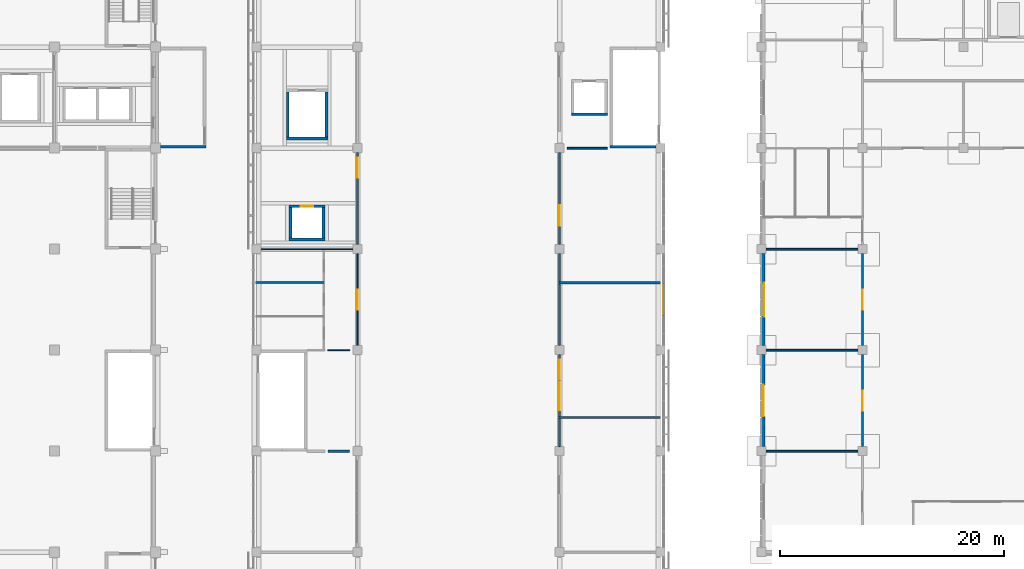
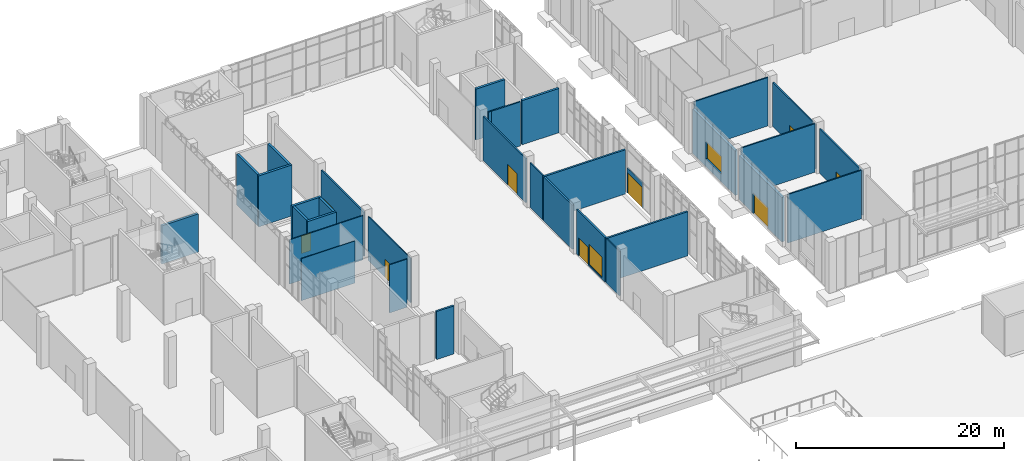
# One storey, part 56 of 86: 33 walls, 9 doors, 2 windows, 11 openings.
"""IFC4 building model written with IfcOpenShell, lengths in metres."""

from ifc_helpers import new_model, si_unit, direction, frame, frame_2d, origin, place, context, subcontext, project, spatial, rectangle, extrude, material, layer, layer_set, type_object, element, fill, save


model = new_model("IFC4")

# Units and contexts
model_context = context("Model", 3, precision=1e-05, world=origin(), true_north=direction((0.0, 1.0)))
body_context = subcontext(model_context, "Body", "Model", "MODEL_VIEW")
ifc_project = project(units=[si_unit("LENGTHUNIT", "METRE"), si_unit("AREAUNIT", "SQUARE_METRE"), si_unit("VOLUMEUNIT", "CUBIC_METRE"), si_unit("PLANEANGLEUNIT", "RADIAN"), si_unit("MASSUNIT", "GRAM", prefix="KILO")], contexts=[model_context])

# Site, building, storey
site_placement = place(None, origin())
site = spatial("IfcSite", under=ifc_project, at=site_placement, CompositionType="ELEMENT")
building_placement = place(site_placement, origin())
building = spatial("IfcBuilding", under=site, at=building_placement, Name="Guidao Yard Department Store", CompositionType="ELEMENT")
storey_placement = place(building_placement, origin())
storey = spatial("IfcBuildingStorey", under=building, at=storey_placement, Name="L00", CompositionType="ELEMENT", Elevation=0.0)

# Wall
ifc_material_1 = material(Name="Moisture-resistant board on Steel Q235 studs", Category="steel")
ifc_layer_1 = layer(ifc_material_1, 0.080078125)
ifc_layer_set_1 = layer_set([ifc_layer_1], Name="Cubicle and Duct Partition P8 80 mm moisture-resistant board")
wall_type_1 = type_object("IfcWallType", Name="Cubicle and Duct Partition P8 80 mm moisture-resistant board", PredefinedType="PARTITIONING", material=ifc_layer_set_1)
wall_1_placement = place(storey_placement, frame((72.0, 78.0, 0.0), z_axis=(0.0, 0.0, 1.0), x_axis=(1.0, 0.0, 0.0)))
element("IfcWall", 1, at=wall_1_placement, inside=storey, type_object=wall_type_1, Name="Wall W-AL00-017", PredefinedType="PARTITIONING", context=body_context, shape_type="SweptSolid", body=[
    extrude(rectangle(XDim=5.949951171875, YDim=0.080078125, at=frame_2d((2.97509765625, 0.0))), origin(), (0.0, 0.0, 1.0), 4.949951171875),
])

# Wall, opening, door
ifc_material_2 = material(Name="Concrete C30", Category="concrete")
ifc_layer_2 = layer(ifc_material_2, 0.300048828125)
ifc_layer_set_2 = layer_set([ifc_layer_2], Name="Food hall wall 300 C30")
wall_type_2 = type_object("IfcWallType", Name="Food hall wall 300 C30", PredefinedType="SOLIDWALL", material=ifc_layer_set_2)
wall_2_placement = place(storey_placement, frame((117.14990234375, 63.39990234375, 0.0), z_axis=(0.0, 0.0, 1.0), x_axis=(0.0, 1.0, 0.0)))
wall_2 = element("IfcWall", 2, at=wall_2_placement, inside=storey, type_object=wall_type_2, Name="Food hall wall", PredefinedType="SOLIDWALL", context=body_context, shape_type="SweptSolid", body=[
    extrude(rectangle(XDim=8.2001953125, YDim=0.300048828125, at=frame_2d((4.10009765625, 0.0))), origin(), (0.0, 0.0, 1.0), 5.199951171875),
])
opening_1_placement = place(wall_2_placement, frame((2.699951171875, 0.0, 0.0)))
opening_1 = element("IfcOpeningElement", 3, at=opening_1_placement, cuts=wall_2, Name="Opening L00-872", PredefinedType="OPENING", context=body_context, shape_type="SweptSolid", body=[
    extrude(rectangle(XDim=2.800048828125, YDim=2.39990234375, at=frame_2d((1.39990234375, 1.199951171875))), frame((0.0, 0.159912109375, 0.0), z_axis=(0.0, -1.0, 0.0), x_axis=(1.0, 0.0, 0.0)), (0.0, 0.0, 1.0), 0.320068359375),
])
ifc_material_3 = material(Name="Toughened glass in Aluminium 6063-T5 frame", Category="aluminium")
door_type_1 = type_object("IfcDoorType", Name="Entrance door ED1 2800 x 2400 glazed double leaf", OperationType="DOUBLE_DOOR_SINGLE_SWING", PredefinedType="DOOR", material=ifc_material_3)
door_1_placement = place(opening_1_placement, origin())
door_1 = element("IfcDoor", 4, at=door_1_placement, inside=storey, type_object=door_type_1, Name="Main entrance E9", OperationType="DOUBLE_DOOR_SINGLE_SWING", OverallHeight=2.39990234375, OverallWidth=2.800048828125, PredefinedType="DOOR", context=body_context, shape_type="SweptSolid", body=[
    extrude(rectangle(XDim=2.800048828125, YDim=2.39990234375, at=frame_2d((1.39990234375, 1.199951171875))), frame((0.0, 0.02490234375, 0.0), z_axis=(0.0, -1.0, 0.0), x_axis=(1.0, 0.0, 0.0)), (0.0, 0.0, 1.0), 0.050048828125),
])
fill(opening_1, door_1)

# Wall, opening, window
wall_3_placement = place(storey_placement, frame((117.14990234375, 72.39990234375, 0.0), z_axis=(0.0, 0.0, 1.0), x_axis=(0.0, 1.0, 0.0)))
wall_3 = element("IfcWall", 5, at=wall_3_placement, inside=storey, type_object=wall_type_2, Name="Food hall wall", PredefinedType="SOLIDWALL", context=body_context, shape_type="SweptSolid", body=[
    extrude(rectangle(XDim=8.2001953125, YDim=0.300048828125, at=frame_2d((4.10009765625, 0.0))), origin(), (0.0, 0.0, 1.0), 5.199951171875),
])
opening_2_placement = place(wall_3_placement, frame((2.60009765625, 0.0, 0.89990234375)))
opening_2 = element("IfcOpeningElement", 6, at=opening_2_placement, cuts=wall_3, Name="Opening WN-L00-E13", PredefinedType="OPENING", context=body_context, shape_type="SweptSolid", body=[
    extrude(rectangle(XDim=3.0, YDim=2.10009765625, at=frame_2d((1.5, 1.050048828125))), frame((0.0, 0.159912109375, 0.0), z_axis=(0.0, -1.0, 0.0), x_axis=(1.0, 0.0, 0.0)), (0.0, 0.0, 1.0), 0.320068359375),
])
ifc_material_4 = material(Name="Laminated glass in aluminium frame", Category="aluminium")
window_type_1 = type_object("IfcWindowType", Name="Punched window PW2 3000 x 2100 fixed", PartitioningType="SINGLE_PANEL", PredefinedType="WINDOW", material=ifc_material_4)
window_1_placement = place(opening_2_placement, origin())
window_1 = element("IfcWindow", 7, at=window_1_placement, inside=storey, type_object=window_type_1, Name="Punched window", OverallHeight=2.10009765625, OverallWidth=3.0, PartitioningType="SINGLE_PANEL", PredefinedType="WINDOW", context=body_context, shape_type="SweptSolid", body=[
    extrude(rectangle(XDim=3.0, YDim=2.10009765625, at=frame_2d((1.5, 1.050048828125))), frame((0.0, -0.030029296875, 0.0), z_axis=(0.0, -1.0, 0.0), x_axis=(1.0, 0.0, 0.0)), (0.0, 0.0, 1.0), 0.06005859375),
])
fill(opening_2, window_1)

# Wall, opening, door
ifc_material_5 = material(Name="Aluminium 6063-T5", Category="aluminium")
ifc_layer_3 = layer(ifc_material_5, 0.1201171875)
ifc_layer_set_3 = layer_set([ifc_layer_3], Name="Glazing frame wall 120")
wall_type_3 = type_object("IfcWallType", Name="Glazing frame wall 120", PredefinedType="STANDARD", material=ifc_layer_set_3)
wall_4_placement = place(storey_placement, frame((108.280029296875, 77.969970703125, 0.0), z_axis=(0.0, 0.0, 1.0), x_axis=(0.0, -1.0, 0.0)))
wall_4 = element("IfcWall", 8, at=wall_4_placement, inside=storey, type_object=wall_type_3, Name="Frame wall for Main entrance E7", PredefinedType="STANDARD", context=body_context, shape_type="SweptSolid", body=[
    extrude(rectangle(XDim=2.93994140625, YDim=0.1201171875, at=frame_2d((1.469970703125, 0.0))), origin(), (0.0, 0.0, 1.0), 2.969970703125),
])
opening_3_placement = place(wall_4_placement, frame((0.070068359375, 0.0, 0.0)))
opening_3 = element("IfcOpeningElement", 9, at=opening_3_placement, cuts=wall_4, Name="Opening L00-866", PredefinedType="OPENING", context=body_context, shape_type="SweptSolid", body=[
    extrude(rectangle(XDim=2.800048828125, YDim=2.39990234375, at=frame_2d((1.39990234375, 1.199951171875))), frame((0.0, 0.070068359375, 0.0), z_axis=(0.0, -1.0, 0.0), x_axis=(1.0, 0.0, 0.0)), (0.0, 0.0, 1.0), 0.14013671875),
])
door_2_placement = place(opening_3_placement, origin())
door_2 = element("IfcDoor", 10, at=door_2_placement, inside=storey, type_object=door_type_1, Name="Main entrance E7", OperationType="DOUBLE_DOOR_SINGLE_SWING", OverallHeight=2.39990234375, OverallWidth=2.800048828125, PredefinedType="DOOR", context=body_context, shape_type="SweptSolid", body=[
    extrude(rectangle(XDim=2.800048828125, YDim=2.39990234375, at=frame_2d((1.39990234375, 1.199951171875))), frame((0.0, 0.02490234375, 0.0), z_axis=(0.0, -1.0, 0.0), x_axis=(1.0, 0.0, 0.0)), (0.0, 0.0, 1.0), 0.050048828125),
])
fill(opening_3, door_2)

# Wall
ifc_material_6 = material(Name="Gypsum board on Steel Q235 studs", Category="steel")
ifc_layer_4 = layer(ifc_material_6, 0.10009765625)
ifc_layer_set_4 = layer_set([ifc_layer_4], Name="Partition P1 100 mm gypsum board EI 30")
wall_type_4 = type_object("IfcWallType", Name="Partition P1 100 mm gypsum board EI 30", PredefinedType="PARTITIONING", material=ifc_layer_set_4)
wall_5_placement = place(storey_placement, frame((78.35009765625, 72.0, 0.0), z_axis=(0.0, 0.0, 1.0), x_axis=(1.0, 0.0, 0.0)))
element("IfcWall", 11, at=wall_5_placement, inside=storey, type_object=wall_type_4, Name="Wall W-AL00-011", PredefinedType="PARTITIONING", context=body_context, shape_type="SweptSolid", body=[
    extrude(rectangle(XDim=1.949951171875, YDim=0.10009765625, at=frame_2d((0.97509765625, 0.0))), origin(), (0.0, 0.0, 1.0), 5.64990234375),
])

# Wall, opening, door
wall_6_placement = place(storey_placement, frame((81.0, 72.39990234375, 0.0), z_axis=(0.0, 0.0, 1.0), x_axis=(0.0, 1.0, 0.0)))
wall_6 = element("IfcWall", 12, at=wall_6_placement, inside=storey, type_object=wall_type_4, Name="Wall W-AL00-013", PredefinedType="PARTITIONING", context=body_context, shape_type="SweptSolid", body=[
    extrude(rectangle(XDim=8.2001953125, YDim=0.10009765625, at=frame_2d((4.10009765625, 0.0))), origin(), (0.0, 0.0, 1.0), 5.199951171875),
])
opening_4_placement = place(wall_6_placement, frame((3.199951171875, 0.0, 0.0)))
opening_4 = element("IfcOpeningElement", 13, at=opening_4_placement, cuts=wall_6, Name="Opening AL00-006", PredefinedType="OPENING", context=body_context, shape_type="SweptSolid", body=[
    extrude(rectangle(XDim=1.800048828125, YDim=2.10009765625, at=frame_2d((0.89990234375, 1.050048828125))), frame((0.0, 0.06005859375, 0.0), z_axis=(0.0, -1.0, 0.0), x_axis=(1.0, 0.0, 0.0)), (0.0, 0.0, 1.0), 0.1201171875),
])
ifc_material_7 = material(Name="Timber door leaf", Category="wood")
door_type_2 = type_object("IfcDoorType", Name="Door D3 double 1800 x 2100", OperationType="DOUBLE_DOOR_SINGLE_SWING", PredefinedType="DOOR", material=ifc_material_7)
door_3_placement = place(opening_4_placement, origin())
door_3 = element("IfcDoor", 14, at=door_3_placement, inside=storey, type_object=door_type_2, Name="Door AL00-006", OperationType="DOUBLE_DOOR_SINGLE_SWING", OverallHeight=2.10009765625, OverallWidth=1.800048828125, PredefinedType="DOOR", context=body_context, shape_type="SweptSolid", body=[
    extrude(rectangle(XDim=1.800048828125, YDim=2.10009765625, at=frame_2d((0.89990234375, 1.050048828125))), frame((0.0, 0.02490234375, 0.0), z_axis=(0.0, -1.0, 0.0), x_axis=(1.0, 0.0, 0.0)), (0.0, 0.0, 1.0), 0.050048828125),
])
fill(opening_4, door_3)

# Walls
wall_7_placement = place(storey_placement, frame((72.39990234375, 81.0, 0.0), z_axis=(0.0, 0.0, 1.0), x_axis=(1.0, 0.0, 0.0)))
element("IfcWall", 15, at=wall_7_placement, inside=storey, type_object=wall_type_4, Name="Wall W-AL00-019", PredefinedType="PARTITIONING", context=body_context, shape_type="SweptSolid", body=[
    extrude(rectangle(XDim=8.2001953125, YDim=0.10009765625, at=frame_2d((4.10009765625, 0.0))), origin(), (0.0, 0.0, 1.0), 5.199951171875),
])
ifc_material_8 = material(Name="Concrete block MU10", Category="concrete")
ifc_layer_5 = layer(ifc_material_8, 0.199951171875)
ifc_layer_set_5 = layer_set([ifc_layer_5], Name="Shopfront Wall P4 200 mm blockwork EI 60")
wall_type_5 = type_object("IfcWallType", Name="Shopfront Wall P4 200 mm blockwork EI 60", PredefinedType="PARTITIONING", material=ifc_layer_set_5)
wall_8_placement = place(storey_placement, frame((78.35009765625, 63.0, 0.0), z_axis=(0.0, 0.0, 1.0), x_axis=(1.0, 0.0, 0.0)))
element("IfcWall", 16, at=wall_8_placement, inside=storey, type_object=wall_type_5, Name="Wall W-AL00-006", PredefinedType="PARTITIONING", context=body_context, shape_type="SweptSolid", body=[
    extrude(rectangle(XDim=1.949951171875, YDim=0.199951171875, at=frame_2d((0.97509765625, 0.0))), origin(), (0.0, 0.0, 1.0), 5.64990234375),
])
wall_9_placement = place(storey_placement, frame((98.925048828125, 66.0, 0.0), z_axis=(0.0, 0.0, 1.0), x_axis=(1.0, 0.0, 0.0)))
element("IfcWall", 17, at=wall_9_placement, inside=storey, type_object=wall_type_5, Name="Wall W-AL00-008", PredefinedType="PARTITIONING", context=body_context, shape_type="SweptSolid", body=[
    extrude(rectangle(XDim=9.074951171875, YDim=0.199951171875, at=frame_2d((4.53759765625, 0.0))), origin(), (0.0, 0.0, 1.0), 5.199951171875),
])

# Wall, openings, door, window
wall_10_placement = place(storey_placement, frame((99.0, 66.10009765625, 0.0), z_axis=(0.0, 0.0, 1.0), x_axis=(0.0, 1.0, 0.0)))
wall_10 = element("IfcWall", 18, at=wall_10_placement, inside=storey, type_object=wall_type_5, Name="Wall W-AL00-009", PredefinedType="PARTITIONING", context=body_context, shape_type="SweptSolid", body=[
    extrude(rectangle(XDim=5.5, YDim=0.199951171875, at=frame_2d((2.75, 0.0))), origin(), (0.0, 0.0, 1.0), 5.199951171875),
])
opening_5_placement = place(wall_10_placement, frame((5.050048828125, 0.0, 0.0), z_axis=(0.0, 0.0, 1.0), x_axis=(-1.0, 0.0, 0.0)))
opening_5 = element("IfcOpeningElement", 19, at=opening_5_placement, cuts=wall_10, Name="Opening AL00-003", PredefinedType="OPENING", context=body_context, shape_type="SweptSolid", body=[
    extrude(rectangle(XDim=1.800048828125, YDim=2.10009765625, at=frame_2d((0.89990234375, 1.050048828125))), frame((0.0, 0.10986328125, 0.0), z_axis=(0.0, -1.0, 0.0), x_axis=(1.0, 0.0, 0.0)), (0.0, 0.0, 1.0), 0.219970703125),
])
opening_6_placement = place(wall_10_placement, frame((0.550048828125, 0.0, 0.14990234375)))
opening_6 = element("IfcOpeningElement", 20, at=opening_6_placement, cuts=wall_10, Name="Opening WN-AL00-303", PredefinedType="OPENING", context=body_context, shape_type="SweptSolid", body=[
    extrude(rectangle(XDim=2.5, YDim=2.39990234375, at=frame_2d((1.25, 1.199951171875))), frame((0.0, 0.10986328125, 0.0), z_axis=(0.0, -1.0, 0.0), x_axis=(1.0, 0.0, 0.0)), (0.0, 0.0, 1.0), 0.219970703125),
])
ifc_material_9 = material(Name="Steel Q235", Category="steel")
door_type_3 = type_object("IfcDoorType", Name="Door FD5 double 1800 x 2100 FD60", OperationType="DOUBLE_DOOR_SINGLE_SWING", PredefinedType="DOOR", material=ifc_material_9)
door_4_placement = place(opening_5_placement, origin())
door_4 = element("IfcDoor", 21, at=door_4_placement, inside=storey, type_object=door_type_3, Name="Door AL00-003", OperationType="DOUBLE_DOOR_SINGLE_SWING", OverallHeight=2.10009765625, OverallWidth=1.800048828125, PredefinedType="DOOR", context=body_context, shape_type="SweptSolid", body=[
    extrude(rectangle(XDim=1.800048828125, YDim=2.10009765625, at=frame_2d((0.89990234375, 1.050048828125))), frame((0.0, 0.02490234375, 0.0), z_axis=(0.0, -1.0, 0.0), x_axis=(1.0, 0.0, 0.0)), (0.0, 0.0, 1.0), 0.050048828125),
])
fill(opening_5, door_4)
ifc_material_10 = material(Name="Fire-rated glazing in Steel Q235 frame", Category="steel")
window_type_2 = type_object("IfcWindowType", Name="Window WN1 fire-glazed shop panel 2500 x 2400 EI 60", PartitioningType="SINGLE_PANEL", PredefinedType="WINDOW", material=ifc_material_10)
window_2_placement = place(opening_6_placement, origin())
window_2 = element("IfcWindow", 22, at=window_2_placement, inside=storey, type_object=window_type_2, Name="Window WN-AL00-303", OverallHeight=2.39990234375, OverallWidth=2.5, PartitioningType="SINGLE_PANEL", PredefinedType="WINDOW", context=body_context, shape_type="SweptSolid", body=[
    extrude(rectangle(XDim=2.5, YDim=2.39990234375, at=frame_2d((1.25, 1.199951171875))), frame((0.0, 0.030029296875, 0.0), z_axis=(0.0, -1.0, 0.0), x_axis=(1.0, 0.0, 0.0)), (0.0, 0.0, 1.0), 0.06005859375),
])
fill(opening_6, window_2)

# Walls
wall_11_placement = place(storey_placement, frame((99.0, 72.39990234375, 0.0), z_axis=(0.0, 0.0, 1.0), x_axis=(0.0, 1.0, 0.0)))
element("IfcWall", 23, at=wall_11_placement, inside=storey, type_object=wall_type_5, Name="Wall W-AL00-014", PredefinedType="PARTITIONING", context=body_context, shape_type="SweptSolid", body=[
    extrude(rectangle(XDim=5.5, YDim=0.199951171875, at=frame_2d((2.75, 0.0))), origin(), (0.0, 0.0, 1.0), 5.199951171875),
])
wall_12_placement = place(storey_placement, frame((98.89990234375, 78.0, 0.0), z_axis=(0.0, 0.0, 1.0), x_axis=(1.0, 0.0, 0.0)))
element("IfcWall", 24, at=wall_12_placement, inside=storey, type_object=wall_type_5, Name="Wall W-AL00-016", PredefinedType="PARTITIONING", context=body_context, shape_type="SweptSolid", body=[
    extrude(rectangle(XDim=9.10009765625, YDim=0.199951171875, at=frame_2d((4.550048828125, 0.0))), origin(), (0.0, 0.0, 1.0), 5.199951171875),
])

# Wall, opening, door
ifc_material_11 = material(Name="Concrete block MU10", Category="concrete")
ifc_layer_6 = layer(ifc_material_11, 0.14990234375)
ifc_layer_set_6 = layer_set([ifc_layer_6], Name="Stall Front Wall F4 150 mm blockwork EI 60")
wall_type_6 = type_object("IfcWallType", Name="Stall Front Wall F4 150 mm blockwork EI 60", PredefinedType="PARTITIONING", material=ifc_layer_set_6)
wall_13_placement = place(storey_placement, frame((126.0, 63.39990234375, 0.0), z_axis=(0.0, 0.0, 1.0), x_axis=(0.0, 1.0, 0.0)))
wall_13 = element("IfcWall", 25, at=wall_13_placement, inside=storey, type_object=wall_type_6, Name="Wall W-L00-3010", PredefinedType="PARTITIONING", context=body_context, shape_type="SweptSolid", body=[
    extrude(rectangle(XDim=8.2001953125, YDim=0.14990234375, at=frame_2d((4.10009765625, 0.0))), origin(), (0.0, 0.0, 1.0), 5.199951171875),
])
opening_7_placement = place(wall_13_placement, frame((5.0, 0.0, 0.0), z_axis=(0.0, 0.0, 1.0), x_axis=(-1.0, 0.0, 0.0)))
opening_7 = element("IfcOpeningElement", 26, at=opening_7_placement, cuts=wall_13, Name="Opening L00-306", PredefinedType="OPENING", context=body_context, shape_type="SweptSolid", body=[
    extrude(rectangle(XDim=1.800048828125, YDim=2.10009765625, at=frame_2d((0.89990234375, 1.050048828125))), frame((0.0, 0.0849609375, 0.0), z_axis=(0.0, -1.0, 0.0), x_axis=(1.0, 0.0, 0.0)), (0.0, 0.0, 1.0), 0.169921875),
])
ifc_material_12 = material(Name="Timber door leaf", Category="wood")
door_type_4 = type_object("IfcDoorType", Name="Door FN2 double 1800 x 2100", OperationType="DOUBLE_DOOR_SINGLE_SWING", PredefinedType="DOOR", material=ifc_material_12)
door_5_placement = place(opening_7_placement, origin())
door_5 = element("IfcDoor", 27, at=door_5_placement, inside=storey, type_object=door_type_4, Name="Door L00-306", OperationType="DOUBLE_DOOR_SINGLE_SWING", OverallHeight=2.10009765625, OverallWidth=1.800048828125, PredefinedType="DOOR", context=body_context, shape_type="SweptSolid", body=[
    extrude(rectangle(XDim=1.800048828125, YDim=2.10009765625, at=frame_2d((0.89990234375, 1.050048828125))), frame((0.0, 0.02490234375, 0.0), z_axis=(0.0, -1.0, 0.0), x_axis=(1.0, 0.0, 0.0)), (0.0, 0.0, 1.0), 0.050048828125),
])
fill(opening_7, door_5)

wall_14_placement = place(storey_placement, frame((126.0, 72.39990234375, 0.0), z_axis=(0.0, 0.0, 1.0), x_axis=(0.0, 1.0, 0.0)))
wall_14 = element("IfcWall", 28, at=wall_14_placement, inside=storey, type_object=wall_type_6, Name="Wall W-L00-3017", PredefinedType="PARTITIONING", context=body_context, shape_type="SweptSolid", body=[
    extrude(rectangle(XDim=8.2001953125, YDim=0.14990234375, at=frame_2d((4.10009765625, 0.0))), origin(), (0.0, 0.0, 1.0), 5.199951171875),
])
opening_8_placement = place(wall_14_placement, frame((3.199951171875, 0.0, 0.0)))
opening_8 = element("IfcOpeningElement", 29, at=opening_8_placement, cuts=wall_14, Name="Opening L00-309", PredefinedType="OPENING", context=body_context, shape_type="SweptSolid", body=[
    extrude(rectangle(XDim=1.800048828125, YDim=2.10009765625, at=frame_2d((0.89990234375, 1.050048828125))), frame((0.0, 0.0849609375, 0.0), z_axis=(0.0, -1.0, 0.0), x_axis=(1.0, 0.0, 0.0)), (0.0, 0.0, 1.0), 0.169921875),
])
door_6_placement = place(opening_8_placement, origin())
door_6 = element("IfcDoor", 30, at=door_6_placement, inside=storey, type_object=door_type_4, Name="Door L00-309", OperationType="DOUBLE_DOOR_SINGLE_SWING", OverallHeight=2.10009765625, OverallWidth=1.800048828125, PredefinedType="DOOR", context=body_context, shape_type="SweptSolid", body=[
    extrude(rectangle(XDim=1.800048828125, YDim=2.10009765625, at=frame_2d((0.89990234375, 1.050048828125))), frame((0.0, 0.02490234375, 0.0), z_axis=(0.0, -1.0, 0.0), x_axis=(1.0, 0.0, 0.0)), (0.0, 0.0, 1.0), 0.050048828125),
])
fill(opening_8, door_6)

# Walls
ifc_material_13 = material(Name="Concrete block MU10", Category="concrete")
ifc_layer_7 = layer(ifc_material_13, 0.14990234375)
ifc_layer_set_7 = layer_set([ifc_layer_7], Name="Wall F2 150 mm blockwork EI 60")
wall_type_7 = type_object("IfcWallType", Name="Wall F2 150 mm blockwork EI 60", PredefinedType="PARTITIONING", material=ifc_layer_set_7)
for number, where, z_axis, x_axis, name in (
    (31, (117.39990234375, 63.0, 0.0), (0.0, 0.0, 1.0), (1.0, 0.0, 0.0), "Wall W-L00-3009"),
    (32, (117.39990234375, 72.0, 0.0), (0.0, 0.0, 1.0), (1.0, 0.0, 0.0), "Wall W-L00-3015"),
    (33, (117.39990234375, 81.0, 0.0), (0.0, 0.0, 1.0), (1.0, 0.0, 0.0), "Wall W-L00-3021"),
):
    element("IfcWall", number, at=place(storey_placement, frame(where, z_axis=z_axis, x_axis=x_axis)), inside=storey, type_object=wall_type_7, Name=name, PredefinedType="PARTITIONING", context=body_context, shape_type="SweptSolid", body=[
        extrude(rectangle(XDim=8.2001953125, YDim=0.14990234375, at=frame_2d((4.10009765625, 0.0))), origin(), (0.0, 0.0, 1.0), 5.699951171875),
    ])
ifc_material_14 = material(Name="Concrete block MU10", Category="concrete")
ifc_layer_8 = layer(ifc_material_14, 0.14990234375)
ifc_layer_set_8 = layer_set([ifc_layer_8], Name="Wall P2 150 mm blockwork EI 60")
wall_type_8 = type_object("IfcWallType", Name="Wall P2 150 mm blockwork EI 60", PredefinedType="PARTITIONING", material=ifc_layer_set_8)
for number, where, z_axis, x_axis, name in (
    (34, (99.0, 63.39990234375, 0.0), (0.0, 0.0, 1.0), (0.0, 1.0, 0.0), "Wall W-AL00-007"),
    (35, (99.0, 78.10009765625, 0.0), (0.0, 0.0, 1.0), (0.0, 1.0, 0.0), "Wall W-AL00-018"),
):
    element("IfcWall", number, at=place(storey_placement, frame(where, z_axis=z_axis, x_axis=x_axis)), inside=storey, type_object=wall_type_8, Name=name, PredefinedType="PARTITIONING", context=body_context, shape_type="SweptSolid", body=[
        extrude(rectangle(XDim=2.5, YDim=0.14990234375, at=frame_2d((1.25, 0.0))), origin(), (0.0, 0.0, 1.0), 5.199951171875),
    ])

# Wall, opening, door
wall_15_placement = place(storey_placement, frame((81.0, 81.39990234375, 0.0), z_axis=(0.0, 0.0, 1.0), x_axis=(0.0, 1.0, 0.0)))
wall_15 = element("IfcWall", 36, at=wall_15_placement, inside=storey, type_object=wall_type_8, Name="Wall W-AL00-020", PredefinedType="PARTITIONING", context=body_context, shape_type="SweptSolid", body=[
    extrude(rectangle(XDim=8.2001953125, YDim=0.14990234375, at=frame_2d((4.10009765625, 0.0))), origin(), (0.0, 0.0, 1.0), 5.199951171875),
])
opening_9_placement = place(wall_15_placement, frame((5.949951171875, 0.0, 0.0)))
opening_9 = element("IfcOpeningElement", 37, at=opening_9_placement, cuts=wall_15, Name="Opening AL00-009", PredefinedType="OPENING", context=body_context, shape_type="SweptSolid", body=[
    extrude(rectangle(XDim=1.800048828125, YDim=2.10009765625, at=frame_2d((0.89990234375, 1.050048828125))), frame((0.0, 0.0849609375, 0.0), z_axis=(0.0, -1.0, 0.0), x_axis=(1.0, 0.0, 0.0)), (0.0, 0.0, 1.0), 0.169921875),
])
door_7_placement = place(opening_9_placement, origin())
door_7 = element("IfcDoor", 38, at=door_7_placement, inside=storey, type_object=door_type_3, Name="Door AL00-009", OperationType="DOUBLE_DOOR_SINGLE_SWING", OverallHeight=2.10009765625, OverallWidth=1.800048828125, PredefinedType="DOOR", context=body_context, shape_type="SweptSolid", body=[
    extrude(rectangle(XDim=1.800048828125, YDim=2.10009765625, at=frame_2d((0.89990234375, 1.050048828125))), frame((0.0, 0.02490234375, 0.0), z_axis=(0.0, -1.0, 0.0), x_axis=(1.0, 0.0, 0.0)), (0.0, 0.0, 1.0), 0.050048828125),
])
fill(opening_9, door_7)

wall_16_placement = place(storey_placement, frame((99.0, 81.39990234375, 0.0), z_axis=(0.0, 0.0, 1.0), x_axis=(0.0, 1.0, 0.0)))
wall_16 = element("IfcWall", 39, at=wall_16_placement, inside=storey, type_object=wall_type_8, Name="Wall W-AL00-021", PredefinedType="PARTITIONING", context=body_context, shape_type="SweptSolid", body=[
    extrude(rectangle(XDim=8.2001953125, YDim=0.14990234375, at=frame_2d((4.10009765625, 0.0))), origin(), (0.0, 0.0, 1.0), 5.199951171875),
])
opening_10_placement = place(wall_16_placement, frame((3.5, 0.0, 0.0), z_axis=(0.0, 0.0, 1.0), x_axis=(-1.0, 0.0, 0.0)))
opening_10 = element("IfcOpeningElement", 40, at=opening_10_placement, cuts=wall_16, Name="Opening AL00-008", PredefinedType="OPENING", context=body_context, shape_type="SweptSolid", body=[
    extrude(rectangle(XDim=1.800048828125, YDim=2.39990234375, at=frame_2d((0.89990234375, 1.199951171875))), frame((0.0, 0.0849609375, 0.0), z_axis=(0.0, -1.0, 0.0), x_axis=(1.0, 0.0, 0.0)), (0.0, 0.0, 1.0), 0.169921875),
])
ifc_material_15 = material(Name="Steel Q235", Category="steel")
door_type_5 = type_object("IfcDoorType", Name="Door FD12 pallet double 1800 x 2400 FD60", OperationType="DOUBLE_DOOR_SINGLE_SWING", PredefinedType="DOOR", material=ifc_material_15)
door_8_placement = place(opening_10_placement, origin())
door_8 = element("IfcDoor", 41, at=door_8_placement, inside=storey, type_object=door_type_5, Name="Door AL00-008", OperationType="DOUBLE_DOOR_SINGLE_SWING", OverallHeight=2.39990234375, OverallWidth=1.800048828125, PredefinedType="DOOR", context=body_context, shape_type="SweptSolid", body=[
    extrude(rectangle(XDim=1.800048828125, YDim=2.39990234375, at=frame_2d((0.89990234375, 1.199951171875))), frame((0.0, 0.02490234375, 0.0), z_axis=(0.0, -1.0, 0.0), x_axis=(1.0, 0.0, 0.0)), (0.0, 0.0, 1.0), 0.050048828125),
])
fill(opening_10, door_8)

# Walls
wall_17_placement = place(storey_placement, frame((99.699951171875, 90.0, 0.0), z_axis=(0.0, 0.0, 1.0), x_axis=(1.0, 0.0, 0.0)))
element("IfcWall", 42, at=wall_17_placement, inside=storey, type_object=wall_type_8, Name="Wall W-AL00-022", PredefinedType="PARTITIONING", context=body_context, shape_type="SweptSolid", body=[
    extrude(rectangle(XDim=0.35009765625, YDim=0.14990234375, at=frame_2d((0.175048828125, 0.0))), origin(), (0.0, 0.0, 1.0), 5.199951171875),
])
wall_18_placement = place(storey_placement, frame((100.050048828125, 90.0, 0.0), z_axis=(0.0, 0.0, 1.0), x_axis=(1.0, 0.0, 0.0)))
element("IfcWall", 43, at=wall_18_placement, inside=storey, type_object=wall_type_8, Name="Wall W-AL00-023", PredefinedType="PARTITIONING", context=body_context, shape_type="SweptSolid", body=[
    extrude(rectangle(XDim=3.199951171875, YDim=0.14990234375, at=frame_2d((1.60009765625, 0.0))), origin(), (0.0, 0.0, 1.0), 5.199951171875),
])
ifc_material_16 = material(Name="Concrete C40", Category="concrete")
ifc_layer_9 = layer(ifc_material_16, 0.25)
ifc_layer_set_9 = layer_set([ifc_layer_9], Name="Wall RC 250 C40 stair and shaft")
wall_type_9 = type_object("IfcWallType", Name="Wall RC 250 C40 stair and shaft", PredefinedType="SHEAR", material=ifc_layer_set_9)
wall_19_placement = place(storey_placement, frame((103.5, 90.125, 0.0), z_axis=(0.0, 0.0, 1.0), x_axis=(1.0, 0.0, 0.0)))
element("IfcWall", 44, at=wall_19_placement, inside=storey, type_object=wall_type_9, Name="Stair wall BSG2", PredefinedType="SHEAR", context=body_context, shape_type="SweptSolid", body=[
    extrude(rectangle(XDim=4.10009765625, YDim=0.25, at=frame_2d((2.050048828125, 0.0))), origin(), (0.0, 0.0, 1.0), 5.199951171875),
])
wall_20_placement = place(storey_placement, frame((63.449951171875, 90.125, 0.0), z_axis=(0.0, 0.0, 1.0), x_axis=(1.0, 0.0, 0.0)))
element("IfcWall", 45, at=wall_20_placement, inside=storey, type_object=wall_type_9, Name="Stair wall BSH2", PredefinedType="SHEAR", context=body_context, shape_type="SweptSolid", body=[
    extrude(rectangle(XDim=4.050048828125, YDim=0.25, at=frame_2d((2.02490234375, 0.0))), origin(), (0.0, 0.0, 1.0), 4.5),
])

# Wall, opening, door
wall_21_placement = place(storey_placement, frame((74.89990234375, 84.824951171875, 0.0), z_axis=(0.0, 0.0, 1.0), x_axis=(1.0, 0.0, 0.0)))
wall_21 = element("IfcWall", 46, at=wall_21_placement, inside=storey, type_object=wall_type_9, Name="Lift shaft wall GL1", PredefinedType="SHEAR", context=body_context, shape_type="SweptSolid", body=[
    extrude(rectangle(XDim=3.2001953125, YDim=0.25, at=frame_2d((1.60009765625, 0.0))), origin(), (0.0, 0.0, 1.0), 6.0),
])
opening_11_placement = place(wall_21_placement, frame((1.050048828125, 0.0, 0.0)))
opening_11 = element("IfcOpeningElement", 47, at=opening_11_placement, cuts=wall_21, Name="Opening LD-GL1-L00", PredefinedType="OPENING", context=body_context, shape_type="SweptSolid", body=[
    extrude(rectangle(XDim=1.10009765625, YDim=2.10009765625, at=frame_2d((0.550048828125, 1.050048828125))), frame((0.0, 0.135009765625, 0.0), z_axis=(0.0, -1.0, 0.0), x_axis=(1.0, 0.0, 0.0)), (0.0, 0.0, 1.0), 0.27001953125),
])
ifc_material_17 = material(Name="Stainless steel 06Cr19Ni10", Category="steel")
door_type_6 = type_object("IfcDoorType", Name="Lift landing door fire-resisting sliding 1100 x 2100", OperationType="DOUBLE_DOOR_SLIDING", PredefinedType="DOOR", material=ifc_material_17)
door_9_placement = place(opening_11_placement, origin())
door_9 = element("IfcDoor", 48, at=door_9_placement, inside=storey, type_object=door_type_6, Name="Lift landing door GL1 L00", OperationType="DOUBLE_DOOR_SLIDING", OverallHeight=2.10009765625, OverallWidth=1.10009765625, PredefinedType="DOOR", context=body_context, shape_type="SweptSolid", body=[
    extrude(rectangle(XDim=1.10009765625, YDim=2.10009765625, at=frame_2d((0.550048828125, 1.050048828125))), frame((0.0, 0.02490234375, 0.0), z_axis=(0.0, -1.0, 0.0), x_axis=(1.0, 0.0, 0.0)), (0.0, 0.0, 1.0), 0.050048828125),
])
fill(opening_11, door_9)

# Walls
wall_22_placement = place(storey_placement, frame((74.89990234375, 81.875, 0.0), z_axis=(0.0, 0.0, 1.0), x_axis=(1.0, 0.0, 0.0)))
element("IfcWall", 49, at=wall_22_placement, inside=storey, type_object=wall_type_9, Name="Lift shaft wall GL1", PredefinedType="SHEAR", context=body_context, shape_type="SweptSolid", body=[
    extrude(rectangle(XDim=3.2001953125, YDim=0.25, at=frame_2d((1.60009765625, 0.0))), origin(), (0.0, 0.0, 1.0), 6.0),
])
for number, where, z_axis, x_axis, name in (
    (50, (75.02490234375, 82.0, 0.0), (0.0, 0.0, 1.0), (0.0, 1.0, 0.0), "Lift shaft wall GL1"),
    (51, (77.97509765625, 82.0, 0.0), (0.0, 0.0, 1.0), (0.0, 1.0, 0.0), "Lift shaft wall GL1"),
):
    element("IfcWall", number, at=place(storey_placement, frame(where, z_axis=z_axis, x_axis=x_axis)), inside=storey, type_object=wall_type_9, Name=name, PredefinedType="SHEAR", context=body_context, shape_type="SweptSolid", body=[
        extrude(rectangle(XDim=2.699951171875, YDim=0.25, at=frame_2d((1.35009765625, 0.0))), origin(), (0.0, 0.0, 1.0), 6.0),
    ])
wall_23_placement = place(storey_placement, frame((74.64990234375, 90.875, 0.0), z_axis=(0.0, 0.0, 1.0), x_axis=(1.0, 0.0, 0.0)))
element("IfcWall", 52, at=wall_23_placement, inside=storey, type_object=wall_type_9, Name="Lift shaft wall GG1", PredefinedType="SHEAR", context=body_context, shape_type="SweptSolid", body=[
    extrude(rectangle(XDim=3.7001953125, YDim=0.25, at=frame_2d((1.85009765625, 0.0))), origin(), (0.0, 0.0, 1.0), 6.0),
])
for number, where, z_axis, x_axis, name in (
    (53, (74.77490234375, 91.0, 0.0), (0.0, 0.0, 1.0), (0.0, 1.0, 0.0), "Lift shaft wall GG1"),
    (54, (78.22509765625, 91.0, 0.0), (0.0, 0.0, 1.0), (0.0, 1.0, 0.0), "Lift shaft wall GG1"),
):
    element("IfcWall", number, at=place(storey_placement, frame(where, z_axis=z_axis, x_axis=x_axis)), inside=storey, type_object=wall_type_9, Name=name, PredefinedType="SHEAR", context=body_context, shape_type="SweptSolid", body=[
        extrude(rectangle(XDim=4.0, YDim=0.25, at=frame_2d((2.0, 0.0))), origin(), (0.0, 0.0, 1.0), 6.0),
    ])
wall_24_placement = place(storey_placement, frame((100.050048828125, 93.02490234375, 0.0), z_axis=(0.0, 0.0, 1.0), x_axis=(1.0, 0.0, 0.0)))
element("IfcWall", 55, at=wall_24_placement, inside=storey, type_object=wall_type_9, Name="Lift shaft wall GL2", PredefinedType="SHEAR", context=body_context, shape_type="SweptSolid", body=[
    extrude(rectangle(XDim=3.199951171875, YDim=0.25, at=frame_2d((1.60009765625, 0.0))), origin(), (0.0, 0.0, 1.0), 6.0),
])

save(model, "model.ifc")
